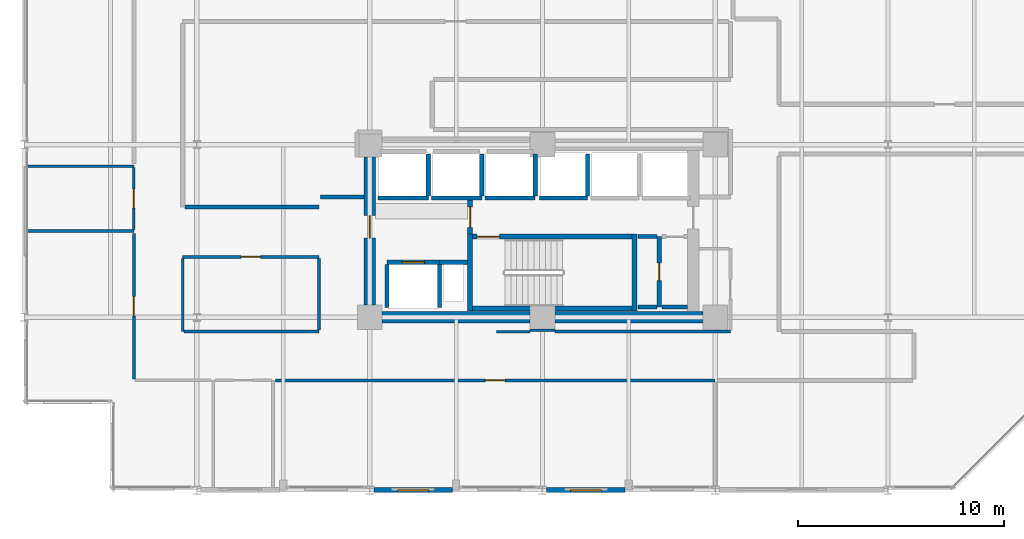
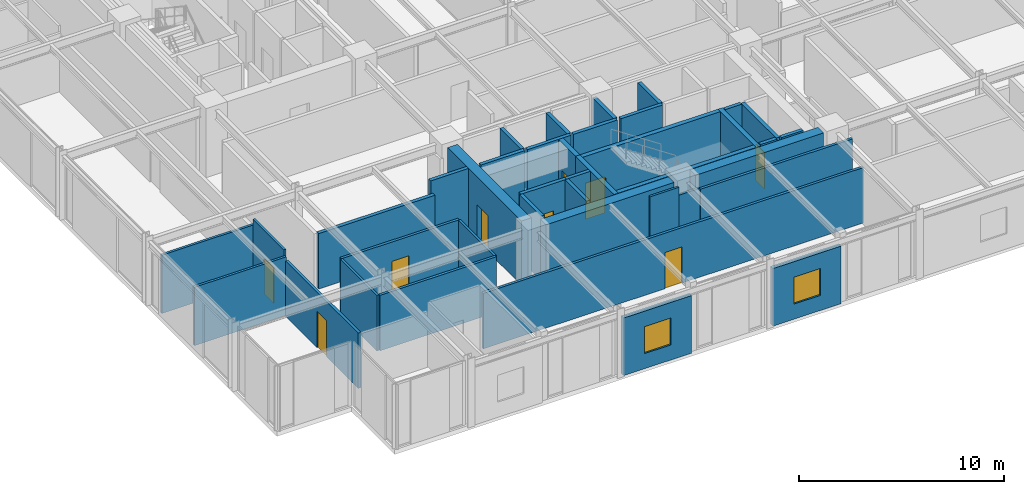
# One storey, part 32 of 38: 40 walls, 9 doors, 2 windows, 11 openings.
"""IFC4 building model written with IfcOpenShell, lengths in metres."""

from ifc_helpers import new_model, si_unit, direction, frame, frame_2d, origin, place, context, subcontext, project, spatial, rectangle, extrude, material, layer, layer_set, type_object, element, fill, save


model = new_model("IFC4")

# Units and contexts
model_context = context("Model", 3, precision=1e-05, world=origin(), true_north=direction((0.0, 1.0)))
body_context = subcontext(model_context, "Body", "Model", "MODEL_VIEW")
ifc_project = project(units=[si_unit("LENGTHUNIT", "METRE"), si_unit("AREAUNIT", "SQUARE_METRE"), si_unit("VOLUMEUNIT", "CUBIC_METRE"), si_unit("PLANEANGLEUNIT", "RADIAN"), si_unit("MASSUNIT", "GRAM", prefix="KILO")], contexts=[model_context])

# Site, building, storey
site_placement = place(None, origin())
site = spatial("IfcSite", under=ifc_project, at=site_placement, CompositionType="ELEMENT")
building_placement = place(site_placement, origin())
building = spatial("IfcBuilding", under=site, at=building_placement, Name="Nerrivon Quay Data Exchange", CompositionType="ELEMENT")
storey_placement = place(building_placement, frame((0.0, 0.0, 96.699951171875)))
storey = spatial("IfcBuildingStorey", under=building, at=storey_placement, Name="L22", CompositionType="ELEMENT", Elevation=96.699951171875)

# Wall, opening, window
ifc_material_1 = material(Name="Architectural terracotta precast concrete N50 (50 MPa)", Category="masonry")
ifc_layer_1 = layer(ifc_material_1, 0.239990234375)
ifc_layer_set_1 = layer_set([ifc_layer_1], Name="Architectural terracotta precast concrete N50 (50 MPa)")
wall_type_1 = type_object("IfcWallType", Name="EW-PREC-240", PredefinedType="STANDARD", material=ifc_layer_set_1)
wall_1_placement = place(storey_placement, frame((29.22509765625, 0.0, 0.0), z_axis=(0.0, 0.0, 1.0), x_axis=(-1.0, 0.0, 0.0)))
wall_1 = element("IfcWall", 1, at=wall_1_placement, inside=storey, type_object=wall_type_1, Name="L22 Podium Precast Spandrel Wall 9", PredefinedType="STANDARD", context=body_context, shape_type="SweptSolid", body=[
    extrude(rectangle(XDim=3.8251953125, YDim=0.239990234375, at=frame_2d((1.91259765625, 0.0))), origin(), (0.0, 0.0, 1.0), 3.422119140625),
])
opening_1_placement = place(wall_1_placement, frame((1.16259765625, 0.0, 0.89990234375)))
opening_1 = element("IfcOpeningElement", 2, at=opening_1_placement, cuts=wall_1, Name="Opening WN4", PredefinedType="OPENING", context=body_context, shape_type="SweptSolid", body=[
    extrude(rectangle(XDim=1.5, YDim=1.60009765625, at=frame_2d((0.75, 0.800048828125))), frame((0.0, 0.1298828125, 0.0), z_axis=(0.0, -1.0, 0.0), x_axis=(1.0, 0.0, 0.0)), (0.0, 0.0, 1.0), 0.260009765625),
])
ifc_material_2 = material(Name="Double-glazed low-E solar control glass", Category="glass")
window_type = type_object("IfcWindowType", Name="WIN-W4-1500x1600", PartitioningType="SINGLE_PANEL", PredefinedType="WINDOW", material=ifc_material_2)
window_1_placement = place(opening_1_placement, origin())
window_1 = element("IfcWindow", 3, at=window_1_placement, inside=storey, type_object=window_type, Name="L22 Solar Facade Window 9", OverallHeight=1.60009765625, OverallWidth=1.5, PartitioningType="SINGLE_PANEL", PredefinedType="WINDOW", context=body_context, shape_type="SweptSolid", body=[
    extrude(rectangle(XDim=1.5, YDim=1.60009765625, at=frame_2d((0.75, 0.800048828125))), frame((0.0, 0.030029296875, 0.0), z_axis=(0.0, -1.0, 0.0), x_axis=(1.0, 0.0, 0.0)), (0.0, 0.0, 1.0), 0.06005859375),
])
fill(opening_1, window_1)

wall_2_placement = place(storey_placement, frame((20.824951171875, 0.0, 0.0), z_axis=(0.0, 0.0, 1.0), x_axis=(-1.0, 0.0, 0.0)))
wall_2 = element("IfcWall", 4, at=wall_2_placement, inside=storey, type_object=wall_type_1, Name="L22 Podium Precast Spandrel Wall 11", PredefinedType="STANDARD", context=body_context, shape_type="SweptSolid", body=[
    extrude(rectangle(XDim=3.824951171875, YDim=0.239990234375, at=frame_2d((1.91259765625, 0.0))), origin(), (0.0, 0.0, 1.0), 3.422119140625),
])
opening_2_placement = place(wall_2_placement, frame((1.16259765625, 0.0, 0.89990234375)))
opening_2 = element("IfcOpeningElement", 5, at=opening_2_placement, cuts=wall_2, Name="Opening WN4", PredefinedType="OPENING", context=body_context, shape_type="SweptSolid", body=[
    extrude(rectangle(XDim=1.5, YDim=1.60009765625, at=frame_2d((0.75, 0.800048828125))), frame((0.0, 0.1298828125, 0.0), z_axis=(0.0, -1.0, 0.0), x_axis=(1.0, 0.0, 0.0)), (0.0, 0.0, 1.0), 0.260009765625),
])
window_2_placement = place(opening_2_placement, origin())
window_2 = element("IfcWindow", 6, at=window_2_placement, inside=storey, type_object=window_type, Name="L22 Solar Facade Window 11", OverallHeight=1.60009765625, OverallWidth=1.5, PartitioningType="SINGLE_PANEL", PredefinedType="WINDOW", context=body_context, shape_type="SweptSolid", body=[
    extrude(rectangle(XDim=1.5, YDim=1.60009765625, at=frame_2d((0.75, 0.800048828125))), frame((0.0, 0.030029296875, 0.0), z_axis=(0.0, -1.0, 0.0), x_axis=(1.0, 0.0, 0.0)), (0.0, 0.0, 1.0), 0.06005859375),
])
fill(opening_2, window_2)

# Walls
ifc_material_3 = material(Name="Concrete S65 (65 MPa)", Category="concrete")
ifc_layer_2 = layer(ifc_material_3, 0.550048828125)
ifc_layer_set_2 = layer_set([ifc_layer_2], Name="Concrete S65 (65 MPa)")
wall_type_2 = type_object("IfcWallType", Name="WALL-CW-700", PredefinedType="SHEAR", material=ifc_layer_set_2)
wall_3_placement = place(storey_placement, frame((17.39990234375, 8.39990234375, 0.0), z_axis=(0.0, 0.0, 1.0), x_axis=(1.0, 0.0, 0.0)))
element("IfcWall", 7, at=wall_3_placement, inside=storey, type_object=wall_type_2, Name="L22 East Split-Core Shear Wall ECW-S1", PredefinedType="SHEAR", context=body_context, shape_type="SweptSolid", body=[
    extrude(rectangle(XDim=7.2001953125, YDim=0.550048828125, at=frame_2d((3.60009765625, 0.0))), origin(), (0.0, 0.0, 1.0), 3.824951171875),
])
wall_4_placement = place(storey_placement, frame((25.800048828125, 8.39990234375, 0.0), z_axis=(0.0, 0.0, 1.0), x_axis=(1.0, 0.0, 0.0)))
element("IfcWall", 8, at=wall_4_placement, inside=storey, type_object=wall_type_2, Name="L22 East Split-Core Shear Wall ECW-S2", PredefinedType="SHEAR", context=body_context, shape_type="SweptSolid", body=[
    extrude(rectangle(XDim=7.199951171875, YDim=0.550048828125, at=frame_2d((3.60009765625, 0.0))), origin(), (0.0, 0.0, 1.0), 3.824951171875),
])

# Wall, opening, door
wall_5_placement = place(storey_placement, frame((16.800048828125, 9.0, 0.0), z_axis=(0.0, 0.0, 1.0), x_axis=(0.0, 1.0, 0.0)))
wall_5 = element("IfcWall", 9, at=wall_5_placement, inside=storey, type_object=wall_type_2, Name="L22 East Split-Core Shear Wall ECW-W1", PredefinedType="SHEAR", context=body_context, shape_type="SweptSolid", body=[
    extrude(rectangle(XDim=7.199951171875, YDim=0.550048828125, at=frame_2d((3.60009765625, 0.0))), origin(), (0.0, 0.0, 1.0), 3.824951171875),
])
opening_3_placement = place(wall_5_placement, frame((3.25, 0.0, 0.0)))
opening_3 = element("IfcOpeningElement", 10, at=opening_3_placement, cuts=wall_5, Name="Opening FD-120", PredefinedType="OPENING", context=body_context, shape_type="SweptSolid", body=[
    extrude(rectangle(XDim=1.10009765625, YDim=2.14990234375, at=frame_2d((0.550048828125, 1.074951171875))), frame((0.0, 0.284912109375, 0.0), z_axis=(0.0, -1.0, 0.0), x_axis=(1.0, 0.0, 0.0)), (0.0, 0.0, 1.0), 0.570068359375),
])
ifc_material_4 = material(Name="Powder-coated galvanized steel sheet", Category="steel")
door_type_1 = type_object("IfcDoorType", Name="DR-FD120-1100", OperationType="NOTDEFINED", PredefinedType="DOOR", material=ifc_material_4)
door_1_placement = place(opening_3_placement, origin())
door_1 = element("IfcDoor", 11, at=door_1_placement, inside=storey, type_object=door_type_1, Name="L22 East Core Lobby Fire Door", OperationType="SINGLE_SWING_RIGHT", OverallHeight=2.14990234375, OverallWidth=1.10009765625, PredefinedType="DOOR", context=body_context, shape_type="SweptSolid", body=[
    extrude(rectangle(XDim=1.10009765625, YDim=2.14990234375, at=frame_2d((0.550048828125, 1.074951171875))), frame((0.0, 0.02490234375, 0.0), z_axis=(0.0, -1.0, 0.0), x_axis=(1.0, 0.0, 0.0)), (0.0, 0.0, 1.0), 0.050048828125),
])
fill(opening_3, door_1)

# Wall
ifc_material_5 = material(Name="Gypsum plasterboard on cold-formed framing", Category="gypsum")
ifc_layer_3 = layer(ifc_material_5, 0.199951171875)
ifc_layer_set_3 = layer_set([ifc_layer_3], Name="Gypsum plasterboard on cold-formed framing")
wall_type_3 = type_object("IfcWallType", Name="WALL-FW-200", PredefinedType="PARTITIONING", material=ifc_layer_set_3)
wall_6_placement = place(storey_placement, frame((20.199951171875, 11.080078125, 0.0), z_axis=(0.0, 0.0, 1.0), x_axis=(1.0, 0.0, 0.0)))
element("IfcWall", 12, at=wall_6_placement, inside=storey, type_object=wall_type_3, Name="L22 East Core MEP Riser Shaft Wall N", PredefinedType="PARTITIONING", context=body_context, shape_type="SweptSolid", body=[
    extrude(rectangle(XDim=1.35009765625, YDim=0.199951171875, at=frame_2d((0.675048828125, 0.0))), origin(), (0.0, 0.0, 1.0), 3.824951171875),
])

# Wall, opening, door
wall_7_placement = place(storey_placement, frame((17.64990234375, 11.080078125, 0.0), z_axis=(0.0, 0.0, 1.0), x_axis=(1.0, 0.0, 0.0)))
wall_7 = element("IfcWall", 13, at=wall_7_placement, inside=storey, type_object=wall_type_3, Name="L22 Lift Front Wall FFL-2", PredefinedType="PARTITIONING", context=body_context, shape_type="SweptSolid", body=[
    extrude(rectangle(XDim=2.550048828125, YDim=0.199951171875, at=frame_2d((1.27490234375, 0.0))), origin(), (0.0, 0.0, 1.0), 3.824951171875),
])
opening_4_placement = place(wall_7_placement, frame((0.72509765625, 0.0, 0.0)))
opening_4 = element("IfcOpeningElement", 14, at=opening_4_placement, cuts=wall_7, Name="Opening LD-120", PredefinedType="OPENING", context=body_context, shape_type="SweptSolid", body=[
    extrude(rectangle(XDim=1.10009765625, YDim=2.199951171875, at=frame_2d((0.550048828125, 1.10009765625))), frame((0.0, 0.10986328125, 0.0), z_axis=(0.0, -1.0, 0.0), x_axis=(1.0, 0.0, 0.0)), (0.0, 0.0, 1.0), 0.219970703125),
])
door_type_2 = type_object("IfcDoorType", Name="DR-LIFT-LD120", OperationType="DOUBLE_DOOR_SLIDING", PredefinedType="DOOR", material=ifc_material_4)
door_2_placement = place(opening_4_placement, origin())
door_2 = element("IfcDoor", 15, at=door_2_placement, inside=storey, type_object=door_type_2, Name="L22 Lift Landing Sliding Door FFL-2", OperationType="DOUBLE_DOOR_SLIDING", OverallHeight=2.199951171875, OverallWidth=1.10009765625, PredefinedType="DOOR", context=body_context, shape_type="SweptSolid", body=[
    extrude(rectangle(XDim=1.10009765625, YDim=2.199951171875, at=frame_2d((0.550048828125, 1.10009765625))), frame((0.0, 0.02490234375, 0.0), z_axis=(0.0, -1.0, 0.0), x_axis=(1.0, 0.0, 0.0)), (0.0, 0.0, 1.0), 0.050048828125),
])
fill(opening_4, door_2)

# Walls
for number, where, z_axis, x_axis, name in (
    (16, (20.199951171875, 8.8798828125, 0.0), (0.0, 0.0, 1.0), (0.0, 1.0, 0.0), "L22 Lift Shaft Wall FFL-2 EAST"),
    (17, (17.64990234375, 8.8798828125, 0.0), (0.0, 0.0, 1.0), (0.0, 1.0, 0.0), "L22 Lift Shaft Wall FFL-2 WEST"),
):
    element("IfcWall", number, at=place(storey_placement, frame(where, z_axis=z_axis, x_axis=x_axis)), inside=storey, type_object=wall_type_3, Name=name, PredefinedType="PARTITIONING", context=body_context, shape_type="SweptSolid", body=[
        extrude(rectangle(XDim=2.10009765625, YDim=0.199951171875, at=frame_2d((1.050048828125, 0.0))), origin(), (0.0, 0.0, 1.0), 3.824951171875),
    ])
wall_8_placement = place(storey_placement, frame((17.199951171875, 14.199951171875, 0.0), z_axis=(0.0, 0.0, 1.0), x_axis=(1.0, 0.0, 0.0)))
element("IfcWall", 18, at=wall_8_placement, inside=storey, type_object=wall_type_3, Name="L22 Lift Front Wall PL4", PredefinedType="PARTITIONING", context=body_context, shape_type="SweptSolid", body=[
    extrude(rectangle(XDim=2.449951171875, YDim=0.199951171875, at=frame_2d((1.22509765625, 0.0))), origin(), (0.0, 0.0, 1.0), 3.824951171875),
])
wall_9_placement = place(storey_placement, frame((19.64990234375, 14.300048828125, 0.0), z_axis=(0.0, 0.0, 1.0), x_axis=(0.0, 1.0, 0.0)))
element("IfcWall", 19, at=wall_9_placement, inside=storey, type_object=wall_type_3, Name="L22 Lift Shaft Wall PL4 EAST", PredefinedType="PARTITIONING", context=body_context, shape_type="SweptSolid", body=[
    extrude(rectangle(XDim=2.050048828125, YDim=0.199951171875, at=frame_2d((1.02490234375, 0.0))), origin(), (0.0, 0.0, 1.0), 3.824951171875),
])
wall_10_placement = place(storey_placement, frame((19.800048828125, 14.199951171875, 0.0), z_axis=(0.0, 0.0, 1.0), x_axis=(1.0, 0.0, 0.0)))
element("IfcWall", 20, at=wall_10_placement, inside=storey, type_object=wall_type_3, Name="L22 Lift Front Wall PL5", PredefinedType="PARTITIONING", context=body_context, shape_type="SweptSolid", body=[
    extrude(rectangle(XDim=2.449951171875, YDim=0.199951171875, at=frame_2d((1.22509765625, 0.0))), origin(), (0.0, 0.0, 1.0), 3.824951171875),
])
wall_11_placement = place(storey_placement, frame((22.25, 14.300048828125, 0.0), z_axis=(0.0, 0.0, 1.0), x_axis=(0.0, 1.0, 0.0)))
element("IfcWall", 21, at=wall_11_placement, inside=storey, type_object=wall_type_3, Name="L22 Lift Shaft Wall PL5 EAST", PredefinedType="PARTITIONING", context=body_context, shape_type="SweptSolid", body=[
    extrude(rectangle(XDim=2.050048828125, YDim=0.199951171875, at=frame_2d((1.02490234375, 0.0))), origin(), (0.0, 0.0, 1.0), 3.824951171875),
])
wall_12_placement = place(storey_placement, frame((22.39990234375, 14.199951171875, 0.0), z_axis=(0.0, 0.0, 1.0), x_axis=(1.0, 0.0, 0.0)))
element("IfcWall", 22, at=wall_12_placement, inside=storey, type_object=wall_type_3, Name="L22 Lift Front Wall PL6", PredefinedType="PARTITIONING", context=body_context, shape_type="SweptSolid", body=[
    extrude(rectangle(XDim=2.4501953125, YDim=0.199951171875, at=frame_2d((1.22509765625, 0.0))), origin(), (0.0, 0.0, 1.0), 3.824951171875),
])
wall_13_placement = place(storey_placement, frame((24.85009765625, 14.300048828125, 0.0), z_axis=(0.0, 0.0, 1.0), x_axis=(0.0, 1.0, 0.0)))
element("IfcWall", 23, at=wall_13_placement, inside=storey, type_object=wall_type_3, Name="L22 Lift Shaft Wall PL6 EAST", PredefinedType="PARTITIONING", context=body_context, shape_type="SweptSolid", body=[
    extrude(rectangle(XDim=2.050048828125, YDim=0.199951171875, at=frame_2d((1.02490234375, 0.0))), origin(), (0.0, 0.0, 1.0), 3.824951171875),
])
wall_14_placement = place(storey_placement, frame((25.050048828125, 14.199951171875, 0.0), z_axis=(0.0, 0.0, 1.0), x_axis=(1.0, 0.0, 0.0)))
element("IfcWall", 24, at=wall_14_placement, inside=storey, type_object=wall_type_3, Name="L22 Lift Front Wall PL7", PredefinedType="PARTITIONING", context=body_context, shape_type="SweptSolid", body=[
    extrude(rectangle(XDim=2.349853515625, YDim=0.199951171875, at=frame_2d((1.1748046875, 0.0))), origin(), (0.0, 0.0, 1.0), 3.824951171875),
])
wall_15_placement = place(storey_placement, frame((27.39990234375, 14.300048828125, 0.0), z_axis=(0.0, 0.0, 1.0), x_axis=(0.0, 1.0, 0.0)))
element("IfcWall", 25, at=wall_15_placement, inside=storey, type_object=wall_type_3, Name="L22 Lift Shaft Wall PL7 EAST", PredefinedType="PARTITIONING", context=body_context, shape_type="SweptSolid", body=[
    extrude(rectangle(XDim=2.050048828125, YDim=0.199951171875, at=frame_2d((1.02490234375, 0.0))), origin(), (0.0, 0.0, 1.0), 3.824951171875),
])

# Wall, opening, door
wall_16_placement = place(storey_placement, frame((30.8798828125, 8.89990234375, 0.0), z_axis=(0.0, 0.0, 1.0), x_axis=(0.0, 1.0, 0.0)))
wall_16 = element("IfcWall", 26, at=wall_16_placement, inside=storey, type_object=wall_type_3, Name="L22 Partition East Electrical Closet", PredefinedType="PARTITIONING", context=body_context, shape_type="SweptSolid", body=[
    extrude(rectangle(XDim=3.43017578125, YDim=0.199951171875, at=frame_2d((1.715087890625, 0.0))), origin(), (0.0, 0.0, 1.0), 3.824951171875),
])
opening_5_placement = place(wall_16_placement, frame((1.2900390625, 0.0, 0.0)))
opening_5 = element("IfcOpeningElement", 27, at=opening_5_placement, cuts=wall_16, Name="Opening FD-60S", PredefinedType="OPENING", context=body_context, shape_type="SweptSolid", body=[
    extrude(rectangle(XDim=0.85009765625, YDim=2.14990234375, at=frame_2d((0.425048828125, 1.074951171875))), frame((0.0, 0.10986328125, 0.0), z_axis=(0.0, -1.0, 0.0), x_axis=(1.0, 0.0, 0.0)), (0.0, 0.0, 1.0), 0.219970703125),
])
ifc_material_6 = material(Name="Engineered hardwood timber", Category="wood")
door_type_3 = type_object("IfcDoorType", Name="DR-FD60-850", OperationType="NOTDEFINED", PredefinedType="DOOR", material=ifc_material_6)
door_3_placement = place(opening_5_placement, origin())
door_3 = element("IfcDoor", 28, at=door_3_placement, inside=storey, type_object=door_type_3, Name="L22 Door East Electrical Closet", OperationType="SINGLE_SWING_LEFT", OverallHeight=2.14990234375, OverallWidth=0.85009765625, PredefinedType="DOOR", context=body_context, shape_type="SweptSolid", body=[
    extrude(rectangle(XDim=0.85009765625, YDim=2.14990234375, at=frame_2d((0.425048828125, 1.074951171875))), frame((0.0, 0.02490234375, 0.0), z_axis=(0.0, -1.0, 0.0), x_axis=(1.0, 0.0, 0.0)), (0.0, 0.0, 1.0), 0.050048828125),
])
fill(opening_5, door_3)

# Walls
for number, where, z_axis, x_axis, name in (
    (29, (30.77587890625, 12.330078125, 0.0), (0.0, 0.0, 1.0), (-1.0, 0.0, 0.0), "L22 Partition East Electrical Closet"),
    (30, (29.85009765625, 8.89990234375, 0.0), (0.0, 0.0, 1.0), (1.0, 0.0, 0.0), "L22 Partition East Electrical Closet"),
):
    element("IfcWall", number, at=place(storey_placement, frame(where, z_axis=z_axis, x_axis=x_axis)), inside=storey, type_object=wall_type_3, Name=name, PredefinedType="PARTITIONING", context=body_context, shape_type="SweptSolid", body=[
        extrude(rectangle(XDim=0.92578125, YDim=0.199951171875, at=frame_2d((0.462890625, 0.0))), origin(), (0.0, 0.0, 1.0), 3.824951171875),
    ])
wall_17_placement = place(storey_placement, frame((31.02001953125, 8.89990234375, 0.0), z_axis=(0.0, 0.0, 1.0), x_axis=(1.0, 0.0, 0.0)))
element("IfcWall", 31, at=wall_17_placement, inside=storey, type_object=wall_type_3, Name="L22 Partition East Cleaners Store", PredefinedType="PARTITIONING", context=body_context, shape_type="SweptSolid", body=[
    extrude(rectangle(XDim=1.22607421875, YDim=0.199951171875, at=frame_2d((0.613037109375, 0.0))), origin(), (0.0, 0.0, 1.0), 3.824951171875),
])
wall_18_placement = place(storey_placement, frame((7.81396484375, 13.760009765625, 0.0), z_axis=(0.0, 0.0, 1.0), x_axis=(1.0, 0.0, 0.0)))
element("IfcWall", 32, at=wall_18_placement, inside=storey, type_object=wall_type_3, Name="L22 Partition Colocation Data Workspace 6", PredefinedType="PARTITIONING", context=body_context, shape_type="SweptSolid", body=[
    extrude(rectangle(XDim=6.526123046875, YDim=0.199951171875, at=frame_2d((3.26318359375, 0.0))), origin(), (0.0, 0.0, 1.0), 3.297119140625),
])
wall_19_placement = place(storey_placement, frame((14.39990234375, 14.260009765625, 0.0), z_axis=(0.0, 0.0, 1.0), x_axis=(1.0, 0.0, 0.0)))
element("IfcWall", 33, at=wall_19_placement, inside=storey, type_object=wall_type_3, Name="L22 Partition Colocation Data Workspace 6", PredefinedType="PARTITIONING", context=body_context, shape_type="SweptSolid", body=[
    extrude(rectangle(XDim=2.12109375, YDim=0.199951171875, at=frame_2d((1.060546875, 0.0))), origin(), (0.0, 0.0, 1.0), 3.824951171875),
])

# Wall, opening, door
ifc_layer_4 = layer(ifc_material_5, 0.1201171875)
ifc_layer_set_4 = layer_set([ifc_layer_4], Name="Gypsum plasterboard on cold-formed framing")
wall_type_4 = type_object("IfcWallType", Name="WALL-PT-120", PredefinedType="PARTITIONING", material=ifc_layer_set_4)
wall_20_placement = place(storey_placement, frame((5.340087890625, 12.67138671875, 0.0), z_axis=(0.0, 0.0, 1.0), x_axis=(0.0, 1.0, 0.0)))
wall_20 = element("IfcWall", 34, at=wall_20_placement, inside=storey, type_object=wall_type_4, Name="L22 Partition Accessible Toilet", PredefinedType="PARTITIONING", context=body_context, shape_type="SweptSolid", body=[
    extrude(rectangle(XDim=3.007080078125, YDim=0.1201171875, at=frame_2d((1.50341796875, 0.0))), origin(), (0.0, 0.0, 1.0), 3.824951171875),
])
opening_6_placement = place(wall_20_placement, frame((1.04345703125, 0.0, 0.0)))
opening_6 = element("IfcOpeningElement", 35, at=opening_6_placement, cuts=wall_20, Name="Opening D-WC", PredefinedType="OPENING", context=body_context, shape_type="SweptSolid", body=[
    extrude(rectangle(XDim=0.919921875, YDim=2.10009765625, at=frame_2d((0.4599609375, 1.050048828125))), frame((0.0, 0.070068359375, 0.0), z_axis=(0.0, -1.0, 0.0), x_axis=(1.0, 0.0, 0.0)), (0.0, 0.0, 1.0), 0.14013671875),
])
door_type_4 = type_object("IfcDoorType", Name="DR-WC-920", OperationType="NOTDEFINED", PredefinedType="DOOR", material=ifc_material_6)
door_4_placement = place(opening_6_placement, origin())
door_4 = element("IfcDoor", 36, at=door_4_placement, inside=storey, type_object=door_type_4, Name="L22 Door Accessible Toilet", OperationType="SINGLE_SWING_LEFT", OverallHeight=2.10009765625, OverallWidth=0.919921875, PredefinedType="DOOR", context=body_context, shape_type="SweptSolid", body=[
    extrude(rectangle(XDim=0.919921875, YDim=2.10009765625, at=frame_2d((0.4599609375, 1.050048828125))), frame((0.0, 0.02490234375, 0.0), z_axis=(0.0, -1.0, 0.0), x_axis=(1.0, 0.0, 0.0)), (0.0, 0.0, 1.0), 0.050048828125),
])
fill(opening_6, door_4)

# Walls
wall_21_placement = place(storey_placement, frame((25.805908203125, 7.781005859375, 0.0), z_axis=(0.0, 0.0, 1.0), x_axis=(-0.999999672047, -0.000809880277, 0.0)))
element("IfcWall", 37, at=wall_21_placement, inside=storey, type_object=wall_type_4, Name="L22 Partition Staff Pantry", PredefinedType="PARTITIONING", context=body_context, shape_type="SweptSolid", body=[
    extrude(rectangle(XDim=1.205810546875, YDim=0.1201171875, at=frame_2d((0.60302734375, 0.0))), origin(), (0.0, 0.0, 1.0), 3.297119140625),
])
wall_22_placement = place(storey_placement, frame((22.97802734375, 7.7099609375, 0.0), z_axis=(0.0, 0.0, 1.0), x_axis=(1.0, 0.0, 0.0)))
element("IfcWall", 38, at=wall_22_placement, inside=storey, type_object=wall_type_4, Name="L22 Partition Staff Pantry", PredefinedType="PARTITIONING", context=body_context, shape_type="SweptSolid", body=[
    extrude(rectangle(XDim=1.6220703125, YDim=0.1201171875, at=frame_2d((0.81103515625, 0.0))), origin(), (0.0, 0.0, 1.0), 3.824951171875),
])
ifc_layer_5 = layer(ifc_material_5, 0.135009765625)
ifc_layer_set_5 = layer_set([ifc_layer_5], Name="Gypsum plasterboard on cold-formed framing")
wall_type_5 = type_object("IfcWallType", Name="WALL-PT-135", PredefinedType="PARTITIONING", material=ifc_layer_set_5)
for number, where, z_axis, x_axis, name in (
    (39, (5.340087890625, 15.75, 0.0), (0.0, 0.0, 1.0), (-1.0, 0.0, 0.0), "L22 Partition Accessible Toilet"),
    (40, (0.1689453125, 12.60009765625, 0.0), (0.0, 0.0, 1.0), (1.0, 0.0, 0.0), "L22 Partition Accessible Toilet"),
):
    element("IfcWall", number, at=place(storey_placement, frame(where, z_axis=z_axis, x_axis=x_axis)), inside=storey, type_object=wall_type_5, Name=name, PredefinedType="PARTITIONING", context=body_context, shape_type="SweptSolid", body=[
        extrude(rectangle(XDim=5.171142578125, YDim=0.135009765625, at=frame_2d((2.58544921875, 0.0))), origin(), (0.0, 0.0, 1.0), 3.468994140625),
    ])
wall_23_placement = place(storey_placement, frame((7.7099609375, 11.260986328125, 0.0), z_axis=(0.0, 0.0, 1.0), x_axis=(0.0, -1.0, 0.0)))
element("IfcWall", 41, at=wall_23_placement, inside=storey, type_object=wall_type_5, Name="L22 Partition Technical Library", PredefinedType="PARTITIONING", context=body_context, shape_type="SweptSolid", body=[
    extrude(rectangle(XDim=3.551025390625, YDim=0.135009765625, at=frame_2d((1.775390625, 0.0))), origin(), (0.0, 0.0, 1.0), 3.2919921875),
])
wall_24_placement = place(storey_placement, frame((14.340087890625, 7.7890625, 0.0), z_axis=(0.0, 0.0, 1.0), x_axis=(0.0, 1.0, 0.0)))
element("IfcWall", 42, at=wall_24_placement, inside=storey, type_object=wall_type_5, Name="L22 Partition Technical Library", PredefinedType="PARTITIONING", context=body_context, shape_type="SweptSolid", body=[
    extrude(rectangle(XDim=3.471923828125, YDim=0.135009765625, at=frame_2d((1.73583984375, 0.0))), origin(), (0.0, 0.0, 1.0), 3.2919921875),
])
ifc_layer_6 = layer(ifc_material_5, 0.14990234375)
ifc_layer_set_6 = layer_set([ifc_layer_6], Name="Gypsum plasterboard on cold-formed framing")
wall_type_6 = type_object("IfcWallType", Name="WALL-PT-150", PredefinedType="PARTITIONING", material=ifc_layer_set_6)
wall_25_placement = place(storey_placement, frame((25.805908203125, 7.7099609375, 0.0), z_axis=(0.0, 0.0, 1.0), x_axis=(1.0, 0.0, 0.0)))
element("IfcWall", 43, at=wall_25_placement, inside=storey, type_object=wall_type_6, Name="L22 Partition Staff Pantry", PredefinedType="PARTITIONING", context=body_context, shape_type="SweptSolid", body=[
    extrude(rectangle(XDim=8.5341796875, YDim=0.14990234375, at=frame_2d((4.26708984375, 0.0))), origin(), (0.0, 0.0, 1.0), 3.297119140625),
])

# Wall, opening, door
wall_26_placement = place(storey_placement, frame((14.340087890625, 11.340087890625, 0.0), z_axis=(0.0, 0.0, 1.0), x_axis=(-1.0, 0.0, 0.0)))
wall_26 = element("IfcWall", 44, at=wall_26_placement, inside=storey, type_object=wall_type_6, Name="L22 Partition Technical Library", PredefinedType="PARTITIONING", context=body_context, shape_type="SweptSolid", body=[
    extrude(rectangle(XDim=6.630126953125, YDim=0.14990234375, at=frame_2d((3.31494140625, 0.0))), origin(), (0.0, 0.0, 1.0), 3.297119140625),
])
opening_7_placement = place(wall_26_placement, frame((2.840087890625, 0.0, 0.0)))
opening_7 = element("IfcOpeningElement", 45, at=opening_7_placement, cuts=wall_26, Name="Opening D-01", PredefinedType="OPENING", context=body_context, shape_type="SweptSolid", body=[
    extrude(rectangle(XDim=0.949951171875, YDim=2.14990234375, at=frame_2d((0.47509765625, 1.074951171875))), frame((0.0, 0.0849609375, 0.0), z_axis=(0.0, -1.0, 0.0), x_axis=(1.0, 0.0, 0.0)), (0.0, 0.0, 1.0), 0.169921875),
])
door_type_5 = type_object("IfcDoorType", Name="DR-INT-950", OperationType="NOTDEFINED", PredefinedType="DOOR", material=ifc_material_6)
door_5_placement = place(opening_7_placement, origin())
door_5 = element("IfcDoor", 46, at=door_5_placement, inside=storey, type_object=door_type_5, Name="L22 Door Technical Library", OperationType="SINGLE_SWING_RIGHT", OverallHeight=2.14990234375, OverallWidth=0.949951171875, PredefinedType="DOOR", context=body_context, shape_type="SweptSolid", body=[
    extrude(rectangle(XDim=0.949951171875, YDim=2.14990234375, at=frame_2d((0.47509765625, 1.074951171875))), frame((0.0, 0.02490234375, 0.0), z_axis=(0.0, -1.0, 0.0), x_axis=(1.0, 0.0, 0.0)), (0.0, 0.0, 1.0), 0.050048828125),
])
fill(opening_7, door_5)

# Wall
wall_27_placement = place(storey_placement, frame((7.781494140625, 7.7099609375, 0.0), z_axis=(0.0, 0.0, 1.0), x_axis=(1.0, 0.0, 0.0)))
element("IfcWall", 47, at=wall_27_placement, inside=storey, type_object=wall_type_6, Name="L22 Partition Technical Library", PredefinedType="PARTITIONING", context=body_context, shape_type="SweptSolid", body=[
    extrude(rectangle(XDim=6.55859375, YDim=0.14990234375, at=frame_2d((3.279296875, 0.0))), origin(), (0.0, 0.0, 1.0), 3.297119140625),
])

# Wall, opening, door
wall_28_placement = place(storey_placement, frame((5.340087890625, 5.39990234375, 0.0), z_axis=(0.0, 0.0, 1.0), x_axis=(0.0, 1.0, 0.0)))
wall_28 = element("IfcWall", 48, at=wall_28_placement, inside=storey, type_object=wall_type_6, Name="L22 Partition Cloud Compute Workspace 1", PredefinedType="PARTITIONING", context=body_context, shape_type="SweptSolid", body=[
    extrude(rectangle(XDim=7.080078125, YDim=0.14990234375, at=frame_2d((3.5400390625, 0.0))), origin(), (0.0, 0.0, 1.0), 3.2919921875),
])
opening_8_placement = place(wall_28_placement, frame((3.06494140625, 0.0, 0.0)))
opening_8 = element("IfcOpeningElement", 49, at=opening_8_placement, cuts=wall_28, Name="Opening D-01", PredefinedType="OPENING", context=body_context, shape_type="SweptSolid", body=[
    extrude(rectangle(XDim=0.949951171875, YDim=2.14990234375, at=frame_2d((0.47509765625, 1.074951171875))), frame((0.0, 0.0849609375, 0.0), z_axis=(0.0, -1.0, 0.0), x_axis=(1.0, 0.0, 0.0)), (0.0, 0.0, 1.0), 0.169921875),
])
door_6_placement = place(opening_8_placement, origin())
door_6 = element("IfcDoor", 50, at=door_6_placement, inside=storey, type_object=door_type_5, Name="L22 Door Cloud Compute Workspace 1", OperationType="SINGLE_SWING_LEFT", OverallHeight=2.14990234375, OverallWidth=0.949951171875, PredefinedType="DOOR", context=body_context, shape_type="SweptSolid", body=[
    extrude(rectangle(XDim=0.949951171875, YDim=2.14990234375, at=frame_2d((0.47509765625, 1.074951171875))), frame((0.0, 0.02490234375, 0.0), z_axis=(0.0, -1.0, 0.0), x_axis=(1.0, 0.0, 0.0)), (0.0, 0.0, 1.0), 0.050048828125),
])
fill(opening_8, door_6)

wall_29_placement = place(storey_placement, frame((33.586669921875, 5.340087890625, 0.0), z_axis=(0.0, 0.0, 1.0), x_axis=(-1.0, 0.0, 0.0)))
wall_29 = element("IfcWall", 51, at=wall_29_placement, inside=storey, type_object=wall_type_6, Name="L22 Partition Optical Engineering Studios Workspace", PredefinedType="PARTITIONING", context=body_context, shape_type="SweptSolid", body=[
    extrude(rectangle(XDim=21.36669921875, YDim=0.14990234375, at=frame_2d((10.683349609375, 0.0))), origin(), (0.0, 0.0, 1.0), 3.297119140625),
])
opening_9_placement = place(wall_29_placement, frame((10.208251953125, 0.0, 0.0)))
opening_9 = element("IfcOpeningElement", 52, at=opening_9_placement, cuts=wall_29, Name="Opening D-01", PredefinedType="OPENING", context=body_context, shape_type="SweptSolid", body=[
    extrude(rectangle(XDim=0.949951171875, YDim=2.14990234375, at=frame_2d((0.47509765625, 1.074951171875))), frame((0.0, 0.0849609375, 0.0), z_axis=(0.0, -1.0, 0.0), x_axis=(1.0, 0.0, 0.0)), (0.0, 0.0, 1.0), 0.169921875),
])
door_7_placement = place(opening_9_placement, origin())
door_7 = element("IfcDoor", 53, at=door_7_placement, inside=storey, type_object=door_type_5, Name="L22 Door Optical Engineering Studios Workspace", OperationType="SINGLE_SWING_LEFT", OverallHeight=2.14990234375, OverallWidth=0.949951171875, PredefinedType="DOOR", context=body_context, shape_type="SweptSolid", body=[
    extrude(rectangle(XDim=0.949951171875, YDim=2.14990234375, at=frame_2d((0.47509765625, 1.074951171875))), frame((0.0, 0.02490234375, 0.0), z_axis=(0.0, -1.0, 0.0), x_axis=(1.0, 0.0, 0.0)), (0.0, 0.0, 1.0), 0.050048828125),
])
fill(opening_9, door_7)

# Walls
ifc_material_7 = material(Name="Concrete N50 (50 MPa)", Category="concrete")
ifc_layer_7 = layer(ifc_material_7, 0.25)
ifc_layer_set_7 = layer_set([ifc_layer_7], Name="Concrete N50 (50 MPa)")
wall_type_7 = type_object("IfcWallType", Name="WALL-SW-250", PredefinedType="SHEAR", material=ifc_layer_set_7)
for number, where, z_axis, x_axis, name in (
    (54, (21.675048828125, 8.699951171875, 0.0), (0.0, 0.0, 1.0), (0.0, 1.0, 0.0), "L22 ST02 Structural Stair Core Wall NEAR"),
    (55, (29.675048828125, 8.699951171875, 0.0), (0.0, 0.0, 1.0), (0.0, 1.0, 0.0), "L22 ST02 Structural Stair Core Wall FAR"),
):
    element("IfcWall", number, at=place(storey_placement, frame(where, z_axis=z_axis, x_axis=x_axis)), inside=storey, type_object=wall_type_7, Name=name, PredefinedType="SHEAR", context=body_context, shape_type="SweptSolid", body=[
        extrude(rectangle(XDim=3.75, YDim=0.25, at=frame_2d((1.875, 0.0))), origin(), (0.0, 0.0, 1.0), 3.824951171875),
    ])
wall_30_placement = place(storey_placement, frame((21.800048828125, 8.824951171875, 0.0), z_axis=(0.0, 0.0, 1.0), x_axis=(1.0, 0.0, 0.0)))
element("IfcWall", 56, at=wall_30_placement, inside=storey, type_object=wall_type_7, Name="L22 ST02 Structural Stair Core Wall LEFT", PredefinedType="SHEAR", context=body_context, shape_type="SweptSolid", body=[
    extrude(rectangle(XDim=7.75, YDim=0.25, at=frame_2d((3.875, 0.0))), origin(), (0.0, 0.0, 1.0), 3.824951171875),
])

# Wall, opening, door
wall_31_placement = place(storey_placement, frame((21.800048828125, 12.324951171875, 0.0), z_axis=(0.0, 0.0, 1.0), x_axis=(1.0, 0.0, 0.0)))
wall_31 = element("IfcWall", 57, at=wall_31_placement, inside=storey, type_object=wall_type_7, Name="L22 ST02 Structural Stair Core Wall RIGHT", PredefinedType="SHEAR", context=body_context, shape_type="SweptSolid", body=[
    extrude(rectangle(XDim=7.75, YDim=0.25, at=frame_2d((3.875, 0.0))), origin(), (0.0, 0.0, 1.0), 3.824951171875),
])
opening_10_placement = place(wall_31_placement, frame((0.219970703125, 0.0, 0.0)))
opening_10 = element("IfcOpeningElement", 58, at=opening_10_placement, cuts=wall_31, Name="Opening FD-120", PredefinedType="OPENING", context=body_context, shape_type="SweptSolid", body=[
    extrude(rectangle(XDim=1.10009765625, YDim=2.14990234375, at=frame_2d((0.550048828125, 1.074951171875))), frame((0.0, 0.135009765625, 0.0), z_axis=(0.0, -1.0, 0.0), x_axis=(1.0, 0.0, 0.0)), (0.0, 0.0, 1.0), 0.27001953125),
])
door_8_placement = place(opening_10_placement, origin())
door_8 = element("IfcDoor", 59, at=door_8_placement, inside=storey, type_object=door_type_1, Name="L22 Protected Stair Door ST02", OperationType="SINGLE_SWING_RIGHT", OverallHeight=2.14990234375, OverallWidth=1.10009765625, PredefinedType="DOOR", context=body_context, shape_type="SweptSolid", body=[
    extrude(rectangle(XDim=1.10009765625, YDim=2.14990234375, at=frame_2d((0.550048828125, 1.074951171875))), frame((0.0, 0.02490234375, 0.0), z_axis=(0.0, -1.0, 0.0), x_axis=(1.0, 0.0, 0.0)), (0.0, 0.0, 1.0), 0.050048828125),
])
fill(opening_10, door_8)

wall_32_placement = place(storey_placement, frame((21.679931640625, 12.449951171875, 0.0), z_axis=(0.0, 0.0, 1.0), x_axis=(0.0, 1.0, 0.0)))
wall_32 = element("IfcWall", 60, at=wall_32_placement, inside=storey, type_object=wall_type_7, Name="L22 East Firefighting Lobby Wall", PredefinedType="SHEAR", context=body_context, shape_type="SweptSolid", body=[
    extrude(rectangle(XDim=1.650146484375, YDim=0.25, at=frame_2d((0.8251953125, 0.0))), origin(), (0.0, 0.0, 1.0), 3.824951171875),
])
opening_11_placement = place(wall_32_placement, frame((0.324951171875, 0.0, 0.0)))
opening_11 = element("IfcOpeningElement", 61, at=opening_11_placement, cuts=wall_32, Name="Opening FD-60", PredefinedType="OPENING", context=body_context, shape_type="SweptSolid", body=[
    extrude(rectangle(XDim=1.0, YDim=2.14990234375, at=frame_2d((0.5, 1.074951171875))), frame((0.0, 0.135009765625, 0.0), z_axis=(0.0, -1.0, 0.0), x_axis=(1.0, 0.0, 0.0)), (0.0, 0.0, 1.0), 0.27001953125),
])
door_type_6 = type_object("IfcDoorType", Name="DR-FD60-1000", OperationType="NOTDEFINED", PredefinedType="DOOR", material=ifc_material_6)
door_9_placement = place(opening_11_placement, origin())
door_9 = element("IfcDoor", 62, at=door_9_placement, inside=storey, type_object=door_type_6, Name="L22 East Firefighting Lobby Fire Door", OperationType="SINGLE_SWING_RIGHT", OverallHeight=2.14990234375, OverallWidth=1.0, PredefinedType="DOOR", context=body_context, shape_type="SweptSolid", body=[
    extrude(rectangle(XDim=1.0, YDim=2.14990234375, at=frame_2d((0.5, 1.074951171875))), frame((0.0, 0.02490234375, 0.0), z_axis=(0.0, -1.0, 0.0), x_axis=(1.0, 0.0, 0.0)), (0.0, 0.0, 1.0), 0.050048828125),
])
fill(opening_11, door_9)

save(model, "model.ifc")
